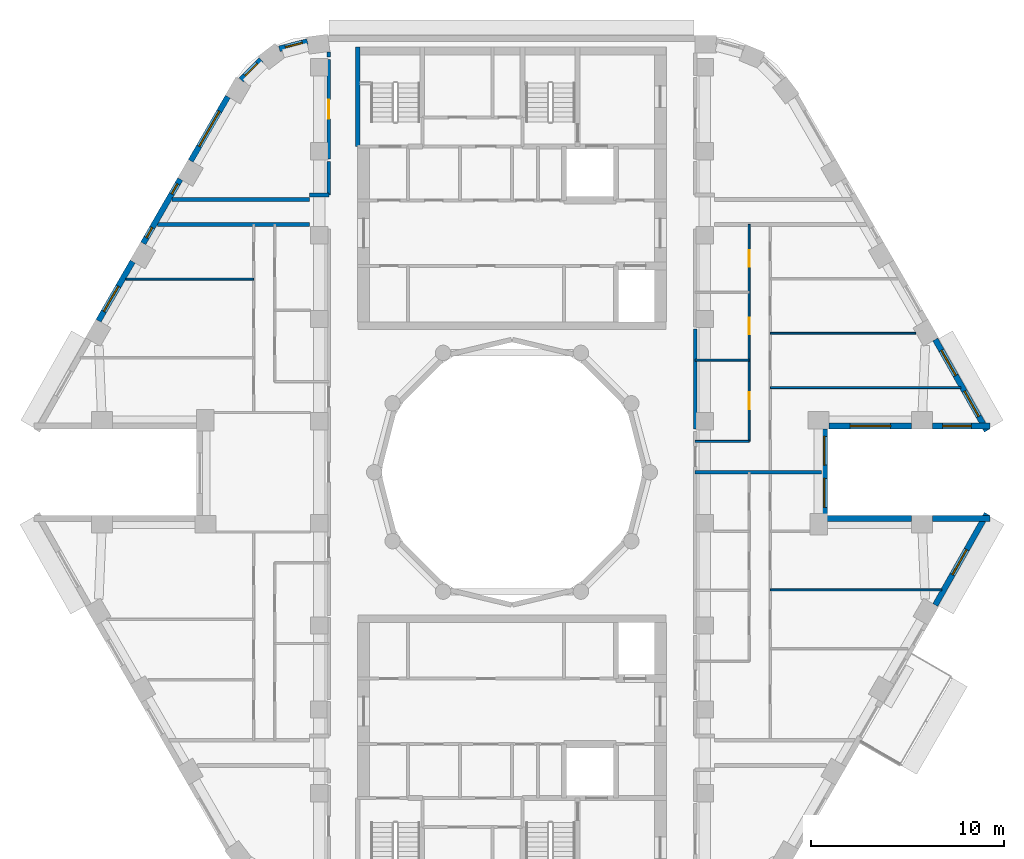
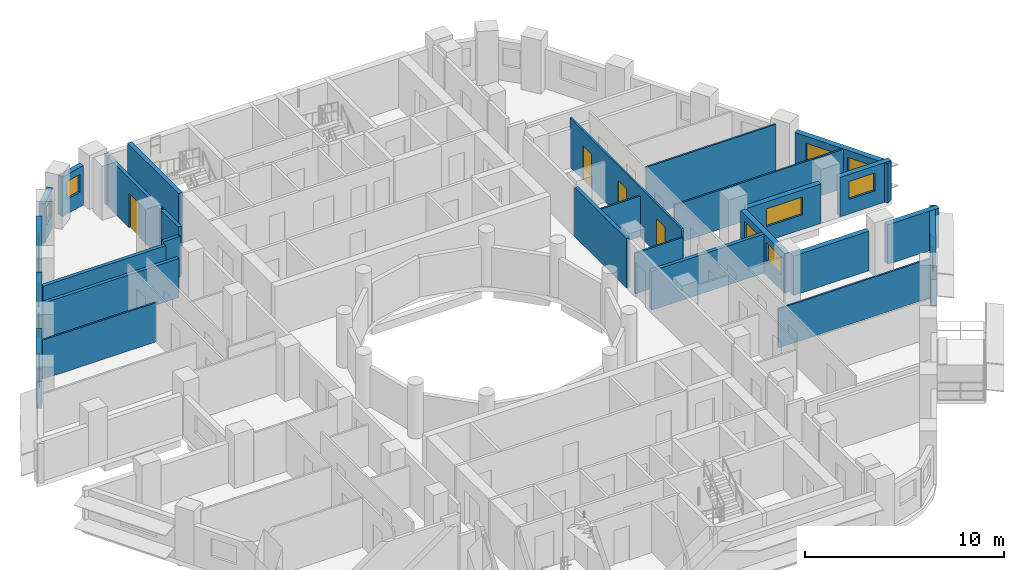
# One storey, part 6 of 12: 28 walls, 13 windows, 4 doors, 17 openings.
"""IFC4 building model written with IfcOpenShell, lengths in metres."""

from ifc_helpers import new_model, si_unit, direction, frame, frame_2d, origin, place, context, subcontext, project, spatial, rectangle, extrude, material, layer, layer_set, type_object, element, fill, save


model = new_model("IFC4")

# Units and contexts
model_context = context("Model", 3, precision=1e-05, world=origin(), true_north=direction((0.0, 1.0)))
body_context = subcontext(model_context, "Body", "Model", "MODEL_VIEW")
ifc_project = project(units=[si_unit("LENGTHUNIT", "METRE"), si_unit("AREAUNIT", "SQUARE_METRE"), si_unit("VOLUMEUNIT", "CUBIC_METRE"), si_unit("PLANEANGLEUNIT", "RADIAN"), si_unit("MASSUNIT", "GRAM", prefix="KILO")], contexts=[model_context])

# Site, building, storey
site_placement = place(None, origin())
site = spatial("IfcSite", under=ifc_project, at=site_placement, CompositionType="ELEMENT")
building_placement = place(site_placement, origin())
building = spatial("IfcBuilding", under=site, at=building_placement, Name="Nakaniwa Court", CompositionType="ELEMENT")
storey_placement = place(building_placement, frame((0.0, 0.0, 236.10009765625)))
storey = spatial("IfcBuildingStorey", under=building, at=storey_placement, Name="L61", CompositionType="ELEMENT", Elevation=236.10009765625)

# Walls
ifc_material_1 = material(Name="Acoustic double stud partition")
ifc_layer_1 = layer(ifc_material_1, 0.199951171875)
ifc_layer_set_1 = layer_set([ifc_layer_1], Name="Acoustic double stud partition")
wall_type_1 = type_object("IfcWallType", Name="Acoustic double stud partition 200", PredefinedType="PARTITIONING", material=ifc_layer_set_1)
wall_1_placement = place(storey_placement, frame((89.5, 82.237060546875, 0.0), z_axis=(0.0, 0.0, 1.0), x_axis=(0.0, 1.0, 0.0)))
element("IfcWall", 1, at=wall_1_placement, inside=storey, type_object=wall_type_1, Name="Partition PW-062", PredefinedType="PARTITIONING", context=body_context, shape_type="SweptSolid", body=[
    extrude(rectangle(XDim=5.18603515625, YDim=0.199951171875, at=frame_2d((2.593017578125, 0.0))), origin(), (0.0, 0.0, 1.0), 3.02490234375),
])
wall_2_placement = place(storey_placement, frame((61.611328125, 92.85009765625, 0.0), z_axis=(0.0, 0.0, 1.0), x_axis=(1.0, 0.0, 0.0)))
element("IfcWall", 2, at=wall_2_placement, inside=storey, type_object=wall_type_1, Name="Partition PW-067", PredefinedType="PARTITIONING", context=body_context, shape_type="SweptSolid", body=[
    extrude(rectangle(XDim=7.888671875, YDim=0.199951171875, at=frame_2d((3.9443359375, 0.0))), origin(), (0.0, 0.0, 1.0), 2.40478515625),
])
wall_3_placement = place(storey_placement, frame((69.5, 94.375, 0.0), z_axis=(0.0, 0.0, 1.0), x_axis=(1.0, 0.0, 0.0)))
element("IfcWall", 3, at=wall_3_placement, inside=storey, type_object=wall_type_1, Name="Partition PW-069", PredefinedType="PARTITIONING", context=body_context, shape_type="SweptSolid", body=[
    extrude(rectangle(XDim=1.0, YDim=0.199951171875, at=frame_2d((0.5, 0.0))), origin(), (0.0, 0.0, 1.0), 2.5048828125),
])
wall_4_placement = place(storey_placement, frame((62.36181640625, 94.14990234375, 0.0), z_axis=(0.0, 0.0, 1.0), x_axis=(1.0, 0.0, 0.0)))
element("IfcWall", 4, at=wall_4_placement, inside=storey, type_object=wall_type_1, Name="Partition PW-071", PredefinedType="PARTITIONING", context=body_context, shape_type="SweptSolid", body=[
    extrude(rectangle(XDim=7.13818359375, YDim=0.199951171875, at=frame_2d((3.569091796875, 0.0))), origin(), (0.0, 0.0, 1.0), 2.40478515625),
])
wall_5_placement = place(storey_placement, frame((70.5, 94.3720703125, 0.0), z_axis=(0.0, 0.0, 1.0), x_axis=(0.0, 1.0, 0.0)))
element("IfcWall", 5, at=wall_5_placement, inside=storey, type_object=wall_type_1, Name="Partition PW-087", PredefinedType="PARTITIONING", context=body_context, shape_type="SweptSolid", body=[
    extrude(rectangle(XDim=1.7509765625, YDim=0.199951171875, at=frame_2d((0.87548828125, 0.0))), origin(), (0.0, 0.0, 1.0), 3.02490234375),
])

# Wall, opening, door
wall_6_placement = place(storey_placement, frame((70.5, 96.237060546875, 0.0), z_axis=(0.0, 0.0, 1.0), x_axis=(0.0, 1.0, 0.0)))
wall_6 = element("IfcWall", 6, at=wall_6_placement, inside=storey, type_object=wall_type_1, Name="Partition PW-088", PredefinedType="PARTITIONING", context=body_context, shape_type="SweptSolid", body=[
    extrude(rectangle(XDim=5.176025390625, YDim=0.199951171875, at=frame_2d((2.587890625, 0.0))), origin(), (0.0, 0.0, 1.0), 3.02490234375),
])
opening_1_placement = place(wall_6_placement, frame((2.087890625, 0.0, 0.0)))
opening_1 = element("IfcOpeningElement", 7, at=opening_1_placement, cuts=wall_6, Name="Opening D-02-05", PredefinedType="OPENING", context=body_context, shape_type="SweptSolid", body=[
    extrude(rectangle(XDim=1.0, YDim=2.10009765625, at=frame_2d((0.5, 1.050048828125))), frame((0.0, 0.10986328125, 0.0), z_axis=(0.0, -1.0, 0.0), x_axis=(1.0, 0.0, 0.0)), (0.0, 0.0, 1.0), 0.219970703125),
])
ifc_material_2 = material(Name="Solid core timber door set, black veneer", Category="wood")
door_type_1 = type_object("IfcDoorType", Name="Internal door 1000", OperationType="NOTDEFINED", PredefinedType="DOOR", material=ifc_material_2)
door_1_placement = place(opening_1_placement, origin())
door_1 = element("IfcDoor", 8, at=door_1_placement, inside=storey, type_object=door_type_1, Name="Door D-02-05 L61-061", OperationType="SINGLE_SWING_RIGHT", OverallHeight=2.10009765625, OverallWidth=1.0, PredefinedType="DOOR", context=body_context, shape_type="SweptSolid", body=[
    extrude(rectangle(XDim=1.0, YDim=2.10009765625, at=frame_2d((0.5, 1.050048828125))), frame((0.0, 0.02490234375, 0.0), z_axis=(0.0, -1.0, 0.0), x_axis=(1.0, 0.0, 0.0)), (0.0, 0.0, 1.0), 0.050048828125),
])
fill(opening_1, door_1)

# Walls
wall_7_placement = place(storey_placement, frame((70.5, 101.527099609375, 0.0), z_axis=(0.0, 0.0, 1.0), x_axis=(0.0, 1.0, 0.0)))
element("IfcWall", 9, at=wall_7_placement, inside=storey, type_object=wall_type_1, Name="Partition PW-089", PredefinedType="PARTITIONING", context=body_context, shape_type="SweptSolid", body=[
    extrude(rectangle(XDim=0.273681640625, YDim=0.199951171875, at=frame_2d((0.13671875, 0.0))), origin(), (0.0, 0.0, 1.0), 3.02490234375),
])
wall_8_placement = place(storey_placement, frame((89.5, 80.0, 0.0), z_axis=(0.0, 0.0, 1.0), x_axis=(1.0, 0.0, 0.0)))
element("IfcWall", 10, at=wall_8_placement, inside=storey, type_object=wall_type_1, Name="Partition PW-095", PredefinedType="PARTITIONING", context=body_context, shape_type="SweptSolid", body=[
    extrude(rectangle(XDim=6.549560546875, YDim=0.199951171875, at=frame_2d((3.27490234375, 0.0))), origin(), (0.0, 0.0, 1.0), 2.40478515625),
])

# Wall, opening, window
ifc_material_3 = material(Name="Charcoal ceramic cladding")
ifc_layer_2 = layer(ifc_material_3, 0.02, Name="Ceramic cladding")
ifc_material_4 = material(Name="Ventilated air cavity")
ifc_layer_3 = layer(ifc_material_4, 0.04, ventilated=True, Name="Ventilated cavity")
ifc_material_5 = material(Name="Mineral wool insulation")
ifc_layer_4 = layer(ifc_material_5, 0.1, Name="Insulation")
ifc_material_6 = material(Name="Cement bonded sheathing board")
ifc_layer_5 = layer(ifc_material_6, 0.012, Name="Sheathing")
ifc_material_7 = material(Name="Cold-formed galvanised stud frame with mineral wool infill")
ifc_layer_6 = layer(ifc_material_7, 0.1, Name="Stud frame")
ifc_material_8 = material(Name="Fire-rated gypsum plasterboard lining")
ifc_layer_7 = layer(ifc_material_8, 0.028, Name="Lining")
ifc_layer_set_2 = layer_set([ifc_layer_2, ifc_layer_3, ifc_layer_4, ifc_layer_5, ifc_layer_6, ifc_layer_7], Name="Charcoal ceramic faced external wall system")
wall_type_2 = type_object("IfcWallType", Name="Black ceramic faced external wall 300", PredefinedType="SOLIDWALL", material=ifc_layer_set_2)
wall_9_placement = place(storey_placement, frame((96.445556640625, 82.39990234375, 0.0), z_axis=(0.0, 0.0, 1.0), x_axis=(1.0, 0.0, 0.0)))
wall_9 = element("IfcWall", 11, at=wall_9_placement, inside=storey, type_object=wall_type_2, Name="L61 external wall 00", PredefinedType="SOLIDWALL", context=body_context, shape_type="SweptSolid", body=[
    extrude(rectangle(XDim=4.2724609375, YDim=0.300048828125, at=frame_2d((2.13623046875, 0.0))), origin(), (0.0, 0.0, 1.0), 2.4248046875),
])
opening_2_placement = place(wall_9_placement, frame((1.086181640625, 0.0, 0.89990234375)))
opening_2 = element("IfcOpeningElement", 12, at=opening_2_placement, cuts=wall_9, Name="Opening W7.01", PredefinedType="OPENING", context=body_context, shape_type="SweptSolid", body=[
    extrude(rectangle(XDim=2.10009765625, YDim=1.10009765625, at=frame_2d((1.050048828125, 0.550048828125))), frame((0.0, 0.159912109375, 0.0), z_axis=(0.0, -1.0, 0.0), x_axis=(1.0, 0.0, 0.0)), (0.0, 0.0, 1.0), 0.320068359375),
])
ifc_material_9 = material(Name="Black anodised aluminium frame with dark low-E laminated double glazing", Category="aluminium")
window_type_1 = type_object("IfcWindowType", Name="Dark glass window 2100x1100 sill 900", PartitioningType="SINGLE_PANEL", PredefinedType="WINDOW", material=ifc_material_9)
window_1_placement = place(opening_2_placement, origin())
window_1 = element("IfcWindow", 13, at=window_1_placement, inside=storey, type_object=window_type_1, Name="L61 living window 00-0", OverallHeight=1.10009765625, OverallWidth=2.10009765625, PartitioningType="SINGLE_PANEL", PredefinedType="WINDOW", context=body_context, shape_type="SweptSolid", body=[
    extrude(rectangle(XDim=2.10009765625, YDim=1.10009765625, at=frame_2d((1.050048828125, 0.550048828125))), frame((0.0, 0.030029296875, 0.0), z_axis=(0.0, -1.0, 0.0), x_axis=(1.0, 0.0, 0.0)), (0.0, 0.0, 1.0), 0.06005859375),
])
fill(opening_2, window_1)

wall_10_placement = place(storey_placement, frame((101.81005859375, 82.39990234375, 0.0), z_axis=(0.0, 0.0, 1.0), x_axis=(1.0, 0.0, 0.0)))
wall_10 = element("IfcWall", 14, at=wall_10_placement, inside=storey, type_object=wall_type_2, Name="L61 external wall 01", PredefinedType="SOLIDWALL", context=body_context, shape_type="SweptSolid", body=[
    extrude(rectangle(XDim=2.98779296875, YDim=0.300048828125, at=frame_2d((1.493896484375, 0.0))), origin(), (0.0, 0.0, 1.0), 2.4248046875),
])
opening_3_placement = place(wall_10_placement, frame((0.51904296875, 0.0, 0.89990234375)))
opening_3 = element("IfcOpeningElement", 15, at=opening_3_placement, cuts=wall_10, Name="Opening W5.02", PredefinedType="OPENING", context=body_context, shape_type="SweptSolid", body=[
    extrude(rectangle(XDim=1.5, YDim=1.10009765625, at=frame_2d((0.75, 0.550048828125))), frame((0.0, 0.159912109375, 0.0), z_axis=(0.0, -1.0, 0.0), x_axis=(1.0, 0.0, 0.0)), (0.0, 0.0, 1.0), 0.320068359375),
])
window_type_2 = type_object("IfcWindowType", Name="Dark glass window 1500x1100 sill 900", PartitioningType="SINGLE_PANEL", PredefinedType="WINDOW", material=ifc_material_9)
window_2_placement = place(opening_3_placement, origin())
window_2 = element("IfcWindow", 16, at=window_2_placement, inside=storey, type_object=window_type_2, Name="L61 living window 01-0", OverallHeight=1.10009765625, OverallWidth=1.5, PartitioningType="SINGLE_PANEL", PredefinedType="WINDOW", context=body_context, shape_type="SweptSolid", body=[
    extrude(rectangle(XDim=1.5, YDim=1.10009765625, at=frame_2d((0.75, 0.550048828125))), frame((0.0, 0.030029296875, 0.0), z_axis=(0.0, -1.0, 0.0), x_axis=(1.0, 0.0, 0.0)), (0.0, 0.0, 1.0), 0.06005859375),
])
fill(opening_3, window_2)

# Wall, openings, windows
wall_11_placement = place(storey_placement, frame((104.627197265625, 82.153564453125, 0.0), z_axis=(0.0, 0.0, 1.0), x_axis=(-0.492080931903, 0.870549456641, 0.0)))
wall_11 = element("IfcWall", 17, at=wall_11_placement, inside=storey, type_object=wall_type_2, Name="L61 external wall 02", PredefinedType="SOLIDWALL", context=body_context, shape_type="SweptSolid", body=[
    extrude(rectangle(XDim=5.436767578125, YDim=0.300048828125, at=frame_2d((2.71826171875, 0.0))), origin(), (0.0, 0.0, 1.0), 2.4248046875),
])
opening_4_placement = place(wall_11_placement, frame((0.857177734375, 0.0, 0.89990234375)))
opening_4 = element("IfcOpeningElement", 18, at=opening_4_placement, cuts=wall_11, Name="Opening W5.03", PredefinedType="OPENING", context=body_context, shape_type="SweptSolid", body=[
    extrude(rectangle(XDim=1.5, YDim=1.10009765625, at=frame_2d((0.75, 0.550048828125))), frame((0.0, 0.159912109375, 0.0), z_axis=(0.0, -1.0, 0.0), x_axis=(1.0, 0.0, 0.0)), (0.0, 0.0, 1.0), 0.320068359375),
])
opening_5_placement = place(wall_11_placement, frame((3.287109375, 0.0, 0.89990234375)))
opening_5 = element("IfcOpeningElement", 19, at=opening_5_placement, cuts=wall_11, Name="Opening W5.04", PredefinedType="OPENING", context=body_context, shape_type="SweptSolid", body=[
    extrude(rectangle(XDim=1.5, YDim=1.10009765625, at=frame_2d((0.75, 0.550048828125))), frame((0.0, 0.159912109375, 0.0), z_axis=(0.0, -1.0, 0.0), x_axis=(1.0, 0.0, 0.0)), (0.0, 0.0, 1.0), 0.320068359375),
])
window_3_placement = place(opening_4_placement, origin())
window_3 = element("IfcWindow", 20, at=window_3_placement, inside=storey, type_object=window_type_2, Name="L61 living window 02-0", OverallHeight=1.10009765625, OverallWidth=1.5, PartitioningType="SINGLE_PANEL", PredefinedType="WINDOW", context=body_context, shape_type="SweptSolid", body=[
    extrude(rectangle(XDim=1.5, YDim=1.10009765625, at=frame_2d((0.75, 0.550048828125))), frame((0.0, 0.030029296875, 0.0), z_axis=(0.0, -1.0, 0.0), x_axis=(1.0, 0.0, 0.0)), (0.0, 0.0, 1.0), 0.06005859375),
])
fill(opening_4, window_3)
window_4_placement = place(opening_5_placement, origin())
window_4 = element("IfcWindow", 21, at=window_4_placement, inside=storey, type_object=window_type_2, Name="L61 bedroom window 02-1", OverallHeight=1.10009765625, OverallWidth=1.5, PartitioningType="SINGLE_PANEL", PredefinedType="WINDOW", context=body_context, shape_type="SweptSolid", body=[
    extrude(rectangle(XDim=1.5, YDim=1.10009765625, at=frame_2d((0.75, 0.550048828125))), frame((0.0, 0.030029296875, 0.0), z_axis=(0.0, -1.0, 0.0), x_axis=(1.0, 0.0, 0.0)), (0.0, 0.0, 1.0), 0.06005859375),
])
fill(opening_5, window_4)

# Wall, opening, window
wall_12_placement = place(storey_placement, frame((69.386474609375, 102.333251953125, 0.0), z_axis=(0.0, 0.0, 1.0), x_axis=(-0.968895303033, -0.247470991757, 0.0)))
wall_12 = element("IfcWall", 22, at=wall_12_placement, inside=storey, type_object=wall_type_2, Name="L61 external wall 09", PredefinedType="SOLIDWALL", context=body_context, shape_type="SweptSolid", body=[
    extrude(rectangle(XDim=1.50048828125, YDim=0.300048828125, at=frame_2d((0.750244140625, 0.0))), origin(), (0.0, 0.0, 1.0), 2.4248046875),
])
opening_6_placement = place(wall_12_placement, frame((0.27587890625, 0.0, 0.89990234375)))
opening_6 = element("IfcOpeningElement", 23, at=opening_6_placement, cuts=wall_12, Name="Opening W9.11", PredefinedType="OPENING", context=body_context, shape_type="SweptSolid", body=[
    extrude(rectangle(XDim=0.89990234375, YDim=1.10009765625, at=frame_2d((0.449951171875, 0.550048828125))), frame((0.0, 0.159912109375, 0.0), z_axis=(0.0, -1.0, 0.0), x_axis=(1.0, 0.0, 0.0)), (0.0, 0.0, 1.0), 0.320068359375),
])
window_type_3 = type_object("IfcWindowType", Name="Dark glass window 900x1100 sill 900", PartitioningType="SINGLE_PANEL", PredefinedType="WINDOW", material=ifc_material_9)
window_5_placement = place(opening_6_placement, origin())
window_5 = element("IfcWindow", 24, at=window_5_placement, inside=storey, type_object=window_type_3, Name="L61 habitable room window 09-0", OverallHeight=1.10009765625, OverallWidth=0.89990234375, PartitioningType="SINGLE_PANEL", PredefinedType="WINDOW", context=body_context, shape_type="SweptSolid", body=[
    extrude(rectangle(XDim=0.89990234375, YDim=1.10009765625, at=frame_2d((0.449951171875, 0.550048828125))), frame((0.0, 0.030029296875, 0.0), z_axis=(0.0, -1.0, 0.0), x_axis=(1.0, 0.0, 0.0)), (0.0, 0.0, 1.0), 0.06005859375),
])
fill(opening_6, window_5)

wall_13_placement = place(storey_placement, frame((66.99560546875, 101.388427734375, 0.0), z_axis=(0.0, 0.0, 1.0), x_axis=(-0.708589353117, -0.705621094249, 0.0)))
wall_13 = element("IfcWall", 25, at=wall_13_placement, inside=storey, type_object=wall_type_2, Name="L61 external wall 10", PredefinedType="SOLIDWALL", context=body_context, shape_type="SweptSolid", body=[
    extrude(rectangle(XDim=1.48046875, YDim=0.300048828125, at=frame_2d((0.740234375, 0.0))), origin(), (0.0, 0.0, 1.0), 2.4248046875),
])
opening_7_placement = place(wall_13_placement, frame((0.27978515625, 0.0, 0.89990234375)))
opening_7 = element("IfcOpeningElement", 26, at=opening_7_placement, cuts=wall_13, Name="Opening W9.12", PredefinedType="OPENING", context=body_context, shape_type="SweptSolid", body=[
    extrude(rectangle(XDim=0.89990234375, YDim=1.10009765625, at=frame_2d((0.449951171875, 0.550048828125))), frame((0.0, 0.159912109375, 0.0), z_axis=(0.0, -1.0, 0.0), x_axis=(1.0, 0.0, 0.0)), (0.0, 0.0, 1.0), 0.320068359375),
])
window_6_placement = place(opening_7_placement, origin())
window_6 = element("IfcWindow", 27, at=window_6_placement, inside=storey, type_object=window_type_3, Name="L61 habitable room window 10-0", OverallHeight=1.10009765625, OverallWidth=0.89990234375, PartitioningType="SINGLE_PANEL", PredefinedType="WINDOW", context=body_context, shape_type="SweptSolid", body=[
    extrude(rectangle(XDim=0.89990234375, YDim=1.10009765625, at=frame_2d((0.449951171875, 0.550048828125))), frame((0.0, 0.030029296875, 0.0), z_axis=(0.0, -1.0, 0.0), x_axis=(1.0, 0.0, 0.0)), (0.0, 0.0, 1.0), 0.06005859375),
])
fill(opening_7, window_6)

wall_14_placement = place(storey_placement, frame((65.26416015625, 99.476806640625, 0.0), z_axis=(0.0, 0.0, 1.0), x_axis=(-0.499984490703, -0.866034357896, 0.0)))
wall_14 = element("IfcWall", 28, at=wall_14_placement, inside=storey, type_object=wall_type_2, Name="L61 external wall 11", PredefinedType="SOLIDWALL", context=body_context, shape_type="SweptSolid", body=[
    extrude(rectangle(XDim=3.84423828125, YDim=0.300048828125, at=frame_2d((1.922119140625, 0.0))), origin(), (0.0, 0.0, 1.0), 2.4248046875),
])
opening_8_placement = place(wall_14_placement, frame((0.8720703125, 0.0, 0.89990234375)))
opening_8 = element("IfcOpeningElement", 29, at=opening_8_placement, cuts=wall_14, Name="Opening W7.13", PredefinedType="OPENING", context=body_context, shape_type="SweptSolid", body=[
    extrude(rectangle(XDim=2.10009765625, YDim=1.10009765625, at=frame_2d((1.050048828125, 0.550048828125))), frame((0.0, 0.159912109375, 0.0), z_axis=(0.0, -1.0, 0.0), x_axis=(1.0, 0.0, 0.0)), (0.0, 0.0, 1.0), 0.320068359375),
])
window_7_placement = place(opening_8_placement, origin())
window_7 = element("IfcWindow", 30, at=window_7_placement, inside=storey, type_object=window_type_1, Name="L61 habitable room window 11-0", OverallHeight=1.10009765625, OverallWidth=2.10009765625, PartitioningType="SINGLE_PANEL", PredefinedType="WINDOW", context=body_context, shape_type="SweptSolid", body=[
    extrude(rectangle(XDim=2.10009765625, YDim=1.10009765625, at=frame_2d((1.050048828125, 0.550048828125))), frame((0.0, 0.030029296875, 0.0), z_axis=(0.0, -1.0, 0.0), x_axis=(1.0, 0.0, 0.0)), (0.0, 0.0, 1.0), 0.06005859375),
])
fill(opening_8, window_7)

# Wall, openings, windows
wall_15_placement = place(storey_placement, frame((62.7958984375, 95.201904296875, 0.0), z_axis=(0.0, 0.0, 1.0), x_axis=(-0.499984490703, -0.866034357896, 0.0)))
wall_15 = element("IfcWall", 31, at=wall_15_placement, inside=storey, type_object=wall_type_2, Name="L61 external wall 12", PredefinedType="SOLIDWALL", context=body_context, shape_type="SweptSolid", body=[
    extrude(rectangle(XDim=3.84423828125, YDim=0.300048828125, at=frame_2d((1.922119140625, 0.0))), origin(), (0.0, 0.0, 1.0), 2.4248046875),
])
opening_9_placement = place(wall_15_placement, frame((0.283203125, 0.0, 0.89990234375)))
opening_9 = element("IfcOpeningElement", 32, at=opening_9_placement, cuts=wall_15, Name="Opening W8.14", PredefinedType="OPENING", context=body_context, shape_type="SweptSolid", body=[
    extrude(rectangle(XDim=0.60009765625, YDim=1.10009765625, at=frame_2d((0.300048828125, 0.550048828125))), frame((0.0, 0.159912109375, 0.0), z_axis=(0.0, -1.0, 0.0), x_axis=(1.0, 0.0, 0.0)), (0.0, 0.0, 1.0), 0.320068359375),
])
opening_10_placement = place(wall_15_placement, frame((2.906005859375, 0.0, 0.89990234375)))
opening_10 = element("IfcOpeningElement", 33, at=opening_10_placement, cuts=wall_15, Name="Opening W8.15", PredefinedType="OPENING", context=body_context, shape_type="SweptSolid", body=[
    extrude(rectangle(XDim=0.60009765625, YDim=1.10009765625, at=frame_2d((0.300048828125, 0.550048828125))), frame((0.0, 0.159912109375, 0.0), z_axis=(0.0, -1.0, 0.0), x_axis=(1.0, 0.0, 0.0)), (0.0, 0.0, 1.0), 0.320068359375),
])
window_type_4 = type_object("IfcWindowType", Name="Dark glass window 600x1100 sill 900", PartitioningType="SINGLE_PANEL", PredefinedType="WINDOW", material=ifc_material_9)
window_8_placement = place(opening_9_placement, origin())
window_8 = element("IfcWindow", 34, at=window_8_placement, inside=storey, type_object=window_type_4, Name="L61 habitable room window 12-0", OverallHeight=1.10009765625, OverallWidth=0.60009765625, PartitioningType="SINGLE_PANEL", PredefinedType="WINDOW", context=body_context, shape_type="SweptSolid", body=[
    extrude(rectangle(XDim=0.60009765625, YDim=1.10009765625, at=frame_2d((0.300048828125, 0.550048828125))), frame((0.0, 0.030029296875, 0.0), z_axis=(0.0, -1.0, 0.0), x_axis=(1.0, 0.0, 0.0)), (0.0, 0.0, 1.0), 0.06005859375),
])
fill(opening_9, window_8)
window_9_placement = place(opening_10_placement, origin())
window_9 = element("IfcWindow", 35, at=window_9_placement, inside=storey, type_object=window_type_4, Name="L61 bedroom window 12-2", OverallHeight=1.10009765625, OverallWidth=0.60009765625, PartitioningType="SINGLE_PANEL", PredefinedType="WINDOW", context=body_context, shape_type="SweptSolid", body=[
    extrude(rectangle(XDim=0.60009765625, YDim=1.10009765625, at=frame_2d((0.300048828125, 0.550048828125))), frame((0.0, 0.030029296875, 0.0), z_axis=(0.0, -1.0, 0.0), x_axis=(1.0, 0.0, 0.0)), (0.0, 0.0, 1.0), 0.06005859375),
])
fill(opening_10, window_9)

# Wall, opening, window
wall_16_placement = place(storey_placement, frame((60.327880859375, 90.927001953125, 0.0), z_axis=(0.0, 0.0, 1.0), x_axis=(-0.500010404316, -0.866019396766, 0.0)))
wall_16 = element("IfcWall", 36, at=wall_16_placement, inside=storey, type_object=wall_type_2, Name="L61 external wall 13", PredefinedType="SOLIDWALL", context=body_context, shape_type="SweptSolid", body=[
    extrude(rectangle(XDim=3.54736328125, YDim=0.300048828125, at=frame_2d((1.773681640625, 0.0))), origin(), (0.0, 0.0, 1.0), 2.4248046875),
])
opening_11_placement = place(wall_16_placement, frame((1.486328125, 0.0, 0.89990234375)))
opening_11 = element("IfcOpeningElement", 37, at=opening_11_placement, cuts=wall_16, Name="Opening W5.16", PredefinedType="OPENING", context=body_context, shape_type="SweptSolid", body=[
    extrude(rectangle(XDim=1.5, YDim=1.10009765625, at=frame_2d((0.75, 0.550048828125))), frame((0.0, 0.159912109375, 0.0), z_axis=(0.0, -1.0, 0.0), x_axis=(1.0, 0.0, 0.0)), (0.0, 0.0, 1.0), 0.320068359375),
])
window_10_placement = place(opening_11_placement, origin())
window_10 = element("IfcWindow", 38, at=window_10_placement, inside=storey, type_object=window_type_2, Name="L61 living window 13-1", OverallHeight=1.10009765625, OverallWidth=1.5, PartitioningType="SINGLE_PANEL", PredefinedType="WINDOW", context=body_context, shape_type="SweptSolid", body=[
    extrude(rectangle(XDim=1.5, YDim=1.10009765625, at=frame_2d((0.75, 0.550048828125))), frame((0.0, 0.030029296875, 0.0), z_axis=(0.0, -1.0, 0.0), x_axis=(1.0, 0.0, 0.0)), (0.0, 0.0, 1.0), 0.06005859375),
])
fill(opening_11, window_10)

wall_17_placement = place(storey_placement, frame((101.951904296875, 73.113525390625, 0.0), z_axis=(0.0, 0.0, 1.0), x_axis=(0.492080931903, 0.870549456641, 0.0)))
wall_17 = element("IfcWall", 39, at=wall_17_placement, inside=storey, type_object=wall_type_2, Name="L61 external wall 32", PredefinedType="SOLIDWALL", context=body_context, shape_type="SweptSolid", body=[
    extrude(rectangle(XDim=5.436767578125, YDim=0.300048828125, at=frame_2d((2.71826171875, 0.0))), origin(), (0.0, 0.0, 1.0), 2.4248046875),
])
opening_12_placement = place(wall_17_placement, frame((1.806884765625, 0.0, 0.89990234375)))
opening_12 = element("IfcOpeningElement", 40, at=opening_12_placement, cuts=wall_17, Name="Opening W5.30", PredefinedType="OPENING", context=body_context, shape_type="SweptSolid", body=[
    extrude(rectangle(XDim=1.5, YDim=1.10009765625, at=frame_2d((0.75, 0.550048828125))), frame((0.0, 0.159912109375, 0.0), z_axis=(0.0, -1.0, 0.0), x_axis=(1.0, 0.0, 0.0)), (0.0, 0.0, 1.0), 0.320068359375),
])
window_11_placement = place(opening_12_placement, origin())
window_11 = element("IfcWindow", 41, at=window_11_placement, inside=storey, type_object=window_type_2, Name="L61 bedroom window 32-1", OverallHeight=1.10009765625, OverallWidth=1.5, PartitioningType="SINGLE_PANEL", PredefinedType="WINDOW", context=body_context, shape_type="SweptSolid", body=[
    extrude(rectangle(XDim=1.5, YDim=1.10009765625, at=frame_2d((0.75, 0.550048828125))), frame((0.0, 0.030029296875, 0.0), z_axis=(0.0, -1.0, 0.0), x_axis=(1.0, 0.0, 0.0)), (0.0, 0.0, 1.0), 0.06005859375),
])
fill(opening_12, window_11)

# Walls
wall_18_placement = place(storey_placement, frame((104.7978515625, 77.60009765625, 0.0), z_axis=(0.0, 0.0, 1.0), x_axis=(-1.0, 0.0, 0.0)))
element("IfcWall", 42, at=wall_18_placement, inside=storey, type_object=wall_type_2, Name="L61 external wall 33", PredefinedType="SOLIDWALL", context=body_context, shape_type="SweptSolid", body=[
    extrude(rectangle(XDim=2.98779296875, YDim=0.300048828125, at=frame_2d((1.493896484375, 0.0))), origin(), (0.0, 0.0, 1.0), 2.4248046875),
])
wall_19_placement = place(storey_placement, frame((100.718017578125, 77.60009765625, 0.0), z_axis=(0.0, 0.0, 1.0), x_axis=(-1.0, 0.0, 0.0)))
element("IfcWall", 43, at=wall_19_placement, inside=storey, type_object=wall_type_2, Name="L61 external wall 34", PredefinedType="SOLIDWALL", context=body_context, shape_type="SweptSolid", body=[
    extrude(rectangle(XDim=4.37255859375, YDim=0.300048828125, at=frame_2d((2.186279296875, 0.0))), origin(), (0.0, 0.0, 1.0), 2.4248046875),
])

# Wall, openings, windows
wall_20_placement = place(storey_placement, frame((96.199462890625, 77.845947265625, 0.0), z_axis=(0.0, 0.0, 1.0), x_axis=(0.0, 1.0, 0.0)))
wall_20 = element("IfcWall", 44, at=wall_20_placement, inside=storey, type_object=wall_type_2, Name="L61 external wall 35", PredefinedType="SOLIDWALL", context=body_context, shape_type="SweptSolid", body=[
    extrude(rectangle(XDim=4.407958984375, YDim=0.300048828125, at=frame_2d((2.2041015625, 0.0))), origin(), (0.0, 0.0, 1.0), 2.4248046875),
])
opening_13_placement = place(wall_20_placement, frame((0.339111328125, 0.0, 0.89990234375)))
opening_13 = element("IfcOpeningElement", 45, at=opening_13_placement, cuts=wall_20, Name="Opening W5.31", PredefinedType="OPENING", context=body_context, shape_type="SweptSolid", body=[
    extrude(rectangle(XDim=1.5, YDim=1.10009765625, at=frame_2d((0.75, 0.550048828125))), frame((0.0, 0.159912109375, 0.0), z_axis=(0.0, -1.0, 0.0), x_axis=(1.0, 0.0, 0.0)), (0.0, 0.0, 1.0), 0.320068359375),
])
opening_14_placement = place(wall_20_placement, frame((2.51904296875, 0.0, 0.89990234375)))
opening_14 = element("IfcOpeningElement", 46, at=opening_14_placement, cuts=wall_20, Name="Opening W5.32", PredefinedType="OPENING", context=body_context, shape_type="SweptSolid", body=[
    extrude(rectangle(XDim=1.5, YDim=1.10009765625, at=frame_2d((0.75, 0.550048828125))), frame((0.0, 0.159912109375, 0.0), z_axis=(0.0, -1.0, 0.0), x_axis=(1.0, 0.0, 0.0)), (0.0, 0.0, 1.0), 0.320068359375),
])
window_12_placement = place(opening_13_placement, origin())
window_12 = element("IfcWindow", 47, at=window_12_placement, inside=storey, type_object=window_type_2, Name="L61 bedroom window 35-0", OverallHeight=1.10009765625, OverallWidth=1.5, PartitioningType="SINGLE_PANEL", PredefinedType="WINDOW", context=body_context, shape_type="SweptSolid", body=[
    extrude(rectangle(XDim=1.5, YDim=1.10009765625, at=frame_2d((0.75, 0.550048828125))), frame((0.0, 0.030029296875, 0.0), z_axis=(0.0, -1.0, 0.0), x_axis=(1.0, 0.0, 0.0)), (0.0, 0.0, 1.0), 0.06005859375),
])
fill(opening_13, window_12)
window_13_placement = place(opening_14_placement, origin())
window_13 = element("IfcWindow", 48, at=window_13_placement, inside=storey, type_object=window_type_2, Name="L61 living window 35-1", OverallHeight=1.10009765625, OverallWidth=1.5, PartitioningType="SINGLE_PANEL", PredefinedType="WINDOW", context=body_context, shape_type="SweptSolid", body=[
    extrude(rectangle(XDim=1.5, YDim=1.10009765625, at=frame_2d((0.75, 0.550048828125))), frame((0.0, 0.030029296875, 0.0), z_axis=(0.0, -1.0, 0.0), x_axis=(1.0, 0.0, 0.0)), (0.0, 0.0, 1.0), 0.06005859375),
])
fill(opening_14, window_13)

# Wall
ifc_material_10 = material(Name="Concrete C80/100", Category="concrete")
ifc_layer_8 = layer(ifc_material_10, 0.25)
ifc_layer_set_3 = layer_set([ifc_layer_8], Name="Concrete C80/100")
wall_type_3 = type_object("IfcWallType", Name="Concrete core wall 250 C80", PredefinedType="SHEAR", material=ifc_layer_set_3)
wall_21_placement = place(storey_placement, frame((72.0, 96.89990234375, -0.275146484375), z_axis=(0.0, 0.0, 1.0), x_axis=(0.0, 1.0, 0.0)))
element("IfcWall", 49, at=wall_21_placement, inside=storey, type_object=wall_type_3, Name="Core wall SW-23", PredefinedType="SHEAR", context=body_context, shape_type="SweptSolid", body=[
    extrude(rectangle(XDim=5.150146484375, YDim=0.25, at=frame_2d((2.5751953125, 0.0))), origin(), (0.0, 0.0, 1.0), 3.300048828125),
])

# Wall, openings, doors
ifc_material_11 = material(Name="Single stud plasterboard partition")
ifc_layer_9 = layer(ifc_material_11, 0.10009765625)
ifc_layer_set_4 = layer_set([ifc_layer_9], Name="Single stud plasterboard partition")
wall_type_4 = type_object("IfcWallType", Name="Single stud plasterboard partition 100", PredefinedType="PARTITIONING", material=ifc_layer_set_4)
wall_22_placement = place(storey_placement, frame((92.300048828125, 81.60009765625, 0.0), z_axis=(0.0, 0.0, 1.0), x_axis=(0.0, 1.0, 0.0)))
wall_22 = element("IfcWall", 50, at=wall_22_placement, inside=storey, type_object=wall_type_4, Name="Partition PW-092", PredefinedType="PARTITIONING", context=body_context, shape_type="SweptSolid", body=[
    extrude(rectangle(XDim=11.25, YDim=0.10009765625, at=frame_2d((5.625, 0.0))), origin(), (0.0, 0.0, 1.0), 3.02490234375),
])
opening_15_placement = place(wall_22_placement, frame((1.658935546875, 0.0, 0.0)))
opening_15 = element("IfcOpeningElement", 51, at=opening_15_placement, cuts=wall_22, Name="Opening D-33-06", PredefinedType="OPENING", context=body_context, shape_type="SweptSolid", body=[
    extrude(rectangle(XDim=0.89990234375, YDim=2.10009765625, at=frame_2d((0.449951171875, 1.050048828125))), frame((0.0, 0.06005859375, 0.0), z_axis=(0.0, -1.0, 0.0), x_axis=(1.0, 0.0, 0.0)), (0.0, 0.0, 1.0), 0.1201171875),
])
opening_16_placement = place(wall_22_placement, frame((5.552001953125, 0.0, 0.0)))
opening_16 = element("IfcOpeningElement", 52, at=opening_16_placement, cuts=wall_22, Name="Opening D-03-03", PredefinedType="OPENING", context=body_context, shape_type="SweptSolid", body=[
    extrude(rectangle(XDim=0.85009765625, YDim=2.10009765625, at=frame_2d((0.425048828125, 1.050048828125))), frame((0.0, 0.06005859375, 0.0), z_axis=(0.0, -1.0, 0.0), x_axis=(1.0, 0.0, 0.0)), (0.0, 0.0, 1.0), 0.1201171875),
])
opening_17_placement = place(wall_22_placement, frame((9.06689453125, 0.0, 0.0)))
opening_17 = element("IfcOpeningElement", 53, at=opening_17_placement, cuts=wall_22, Name="Opening D-03-04", PredefinedType="OPENING", context=body_context, shape_type="SweptSolid", body=[
    extrude(rectangle(XDim=0.85009765625, YDim=2.10009765625, at=frame_2d((0.425048828125, 1.050048828125))), frame((0.0, 0.06005859375, 0.0), z_axis=(0.0, -1.0, 0.0), x_axis=(1.0, 0.0, 0.0)), (0.0, 0.0, 1.0), 0.1201171875),
])
ifc_material_12 = material(Name="Moisture sealed timber door set", Category="wood")
door_type_2 = type_object("IfcDoorType", Name="Bathroom door 850", OperationType="NOTDEFINED", PredefinedType="DOOR", material=ifc_material_12)
door_2_placement = place(opening_16_placement, origin())
door_2 = element("IfcDoor", 54, at=door_2_placement, inside=storey, type_object=door_type_2, Name="Door D-03-03 L61-040", OperationType="SINGLE_SWING_LEFT", OverallHeight=2.10009765625, OverallWidth=0.85009765625, PredefinedType="DOOR", context=body_context, shape_type="SweptSolid", body=[
    extrude(rectangle(XDim=0.85009765625, YDim=2.10009765625, at=frame_2d((0.425048828125, 1.050048828125))), frame((0.0, 0.02490234375, 0.0), z_axis=(0.0, -1.0, 0.0), x_axis=(1.0, 0.0, 0.0)), (0.0, 0.0, 1.0), 0.050048828125),
])
fill(opening_16, door_2)
door_3_placement = place(opening_17_placement, origin())
door_3 = element("IfcDoor", 55, at=door_3_placement, inside=storey, type_object=door_type_2, Name="Door D-03-04 L61-041", OperationType="SINGLE_SWING_RIGHT", OverallHeight=2.10009765625, OverallWidth=0.85009765625, PredefinedType="DOOR", context=body_context, shape_type="SweptSolid", body=[
    extrude(rectangle(XDim=0.85009765625, YDim=2.10009765625, at=frame_2d((0.425048828125, 1.050048828125))), frame((0.0, 0.02490234375, 0.0), z_axis=(0.0, -1.0, 0.0), x_axis=(1.0, 0.0, 0.0)), (0.0, 0.0, 1.0), 0.050048828125),
])
fill(opening_17, door_3)
door_type_3 = type_object("IfcDoorType", Name="Internal door 900", OperationType="NOTDEFINED", PredefinedType="DOOR", material=ifc_material_2)
door_4_placement = place(opening_15_placement, origin())
door_4 = element("IfcDoor", 56, at=door_4_placement, inside=storey, type_object=door_type_3, Name="Door D-33-06 L61-039", OperationType="SINGLE_SWING_RIGHT", OverallHeight=2.10009765625, OverallWidth=0.89990234375, PredefinedType="DOOR", context=body_context, shape_type="SweptSolid", body=[
    extrude(rectangle(XDim=0.89990234375, YDim=2.10009765625, at=frame_2d((0.449951171875, 1.050048828125))), frame((0.0, 0.02490234375, 0.0), z_axis=(0.0, -1.0, 0.0), x_axis=(1.0, 0.0, 0.0)), (0.0, 0.0, 1.0), 0.050048828125),
])
fill(opening_15, door_4)

# Walls
wall_23_placement = place(storey_placement, frame((93.39990234375, 73.89794921875, 0.0), z_axis=(0.0, 0.0, 1.0), x_axis=(1.0, 0.0, 0.0)))
element("IfcWall", 57, at=wall_23_placement, inside=storey, type_object=wall_type_4, Name="Partition PW-098", PredefinedType="PARTITIONING", context=body_context, shape_type="SweptSolid", body=[
    extrude(rectangle(XDim=8.884521484375, YDim=0.10009765625, at=frame_2d((4.4423828125, 0.0))), origin(), (0.0, 0.0, 1.0), 2.40478515625),
])
for number, where, z_axis, x_axis, name in (
    (58, (89.5, 85.819091796875, 0.0), (0.0, 0.0, 1.0), (1.0, 0.0, 0.0), "Partition PW-100"),
    (59, (89.5, 81.60009765625, 0.0), (0.0, 0.0, 1.0), (1.0, 0.0, 0.0), "Partition PW-101"),
):
    element("IfcWall", number, at=place(storey_placement, frame(where, z_axis=z_axis, x_axis=x_axis)), inside=storey, type_object=wall_type_4, Name=name, PredefinedType="PARTITIONING", context=body_context, shape_type="SweptSolid", body=[
        extrude(rectangle(XDim=2.800048828125, YDim=0.10009765625, at=frame_2d((1.39990234375, 0.0))), origin(), (0.0, 0.0, 1.0), 2.5048828125),
    ])
wall_24_placement = place(storey_placement, frame((93.39990234375, 84.387939453125, 0.0), z_axis=(0.0, 0.0, 1.0), x_axis=(1.0, 0.0, 0.0)))
element("IfcWall", 60, at=wall_24_placement, inside=storey, type_object=wall_type_4, Name="Partition PW-103", PredefinedType="PARTITIONING", context=body_context, shape_type="SweptSolid", body=[
    extrude(rectangle(XDim=9.87451171875, YDim=0.10009765625, at=frame_2d((4.937255859375, 0.0))), origin(), (0.0, 0.0, 1.0), 2.40478515625),
])
wall_25_placement = place(storey_placement, frame((93.39990234375, 87.208984375, 0.0), z_axis=(0.0, 0.0, 1.0), x_axis=(1.0, 0.0, 0.0)))
element("IfcWall", 61, at=wall_25_placement, inside=storey, type_object=wall_type_4, Name="Partition PW-104", PredefinedType="PARTITIONING", context=body_context, shape_type="SweptSolid", body=[
    extrude(rectangle(XDim=7.530029296875, YDim=0.10009765625, at=frame_2d((3.76513671875, 0.0))), origin(), (0.0, 0.0, 1.0), 3.02490234375),
])
wall_26_placement = place(storey_placement, frame((59.97705078125, 90.01904296875, 0.0), z_axis=(0.0, 0.0, 1.0), x_axis=(1.0, 0.0, 0.0)))
element("IfcWall", 62, at=wall_26_placement, inside=storey, type_object=wall_type_4, Name="Partition PW-119", PredefinedType="PARTITIONING", context=body_context, shape_type="SweptSolid", body=[
    extrude(rectangle(XDim=6.623046875, YDim=0.10009765625, at=frame_2d((3.3115234375, 0.0))), origin(), (0.0, 0.0, 1.0), 2.40478515625),
])

save(model, "model.ifc")
